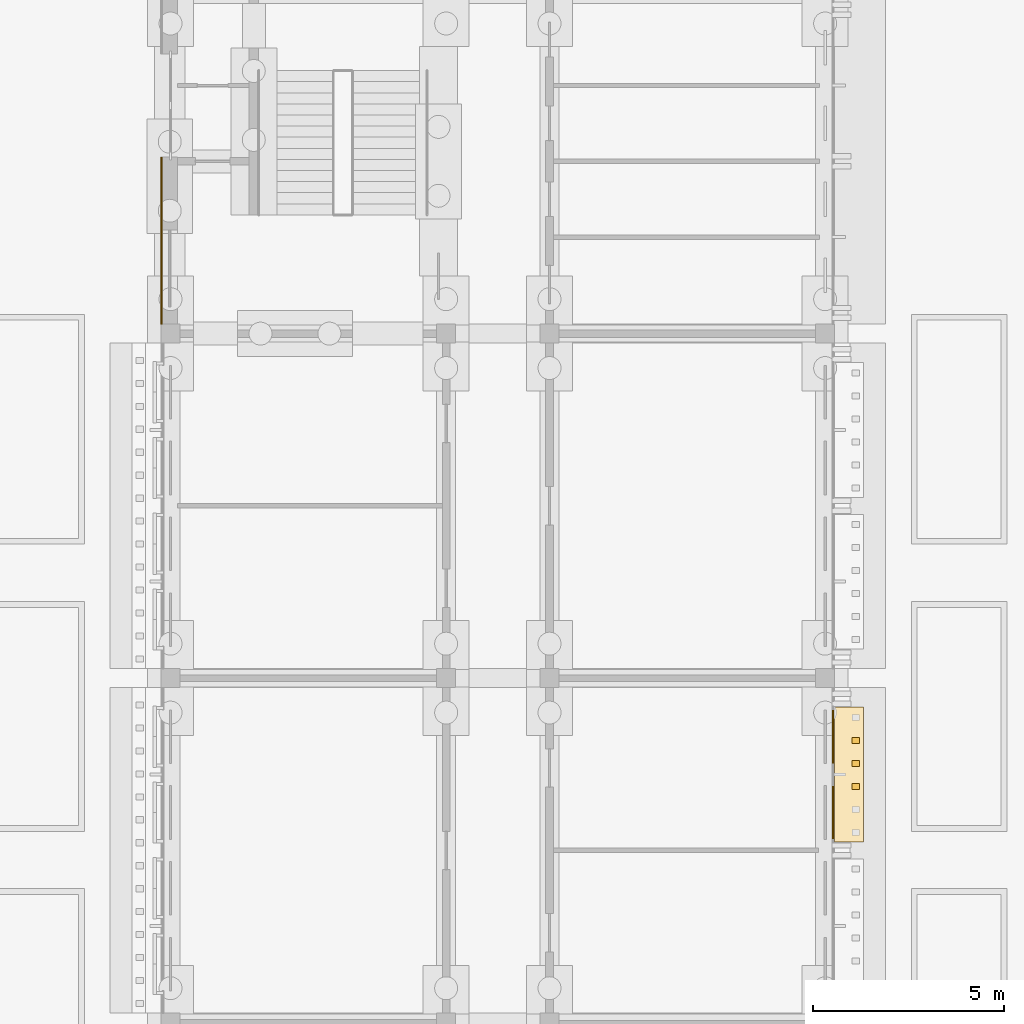
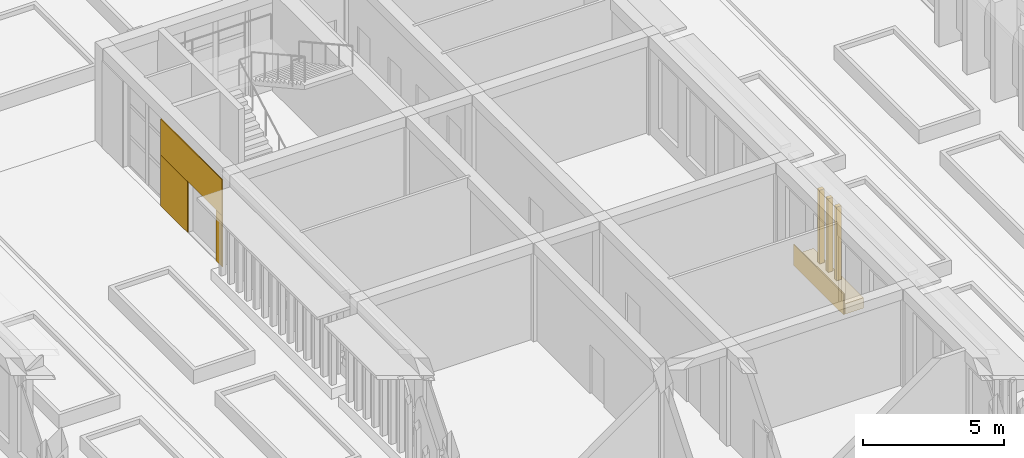
# One storey, part 132 of 161: 8 coverings.
"""IFC4 building model written with IfcOpenShell, lengths in metres."""

from ifc_helpers import new_model, si_unit, direction, frame, origin, origin_2d, place, context, subcontext, project, spatial, rectangle, extrude, material, layer, layer_set, type_object, element, save


model = new_model("IFC4")

# Units and contexts
model_context = context("Model", 3, precision=1e-05, world=origin(), true_north=direction((0.0, 1.0)))
body_context = subcontext(model_context, "Body", "Model", "MODEL_VIEW")
ifc_project = project(units=[si_unit("LENGTHUNIT", "METRE"), si_unit("AREAUNIT", "SQUARE_METRE"), si_unit("VOLUMEUNIT", "CUBIC_METRE"), si_unit("PLANEANGLEUNIT", "RADIAN"), si_unit("MASSUNIT", "GRAM", prefix="KILO")], contexts=[model_context])

# Site, building, storey
site_placement = place(None, origin())
site = spatial("IfcSite", under=ifc_project, at=site_placement, CompositionType="ELEMENT")
building_placement = place(site_placement, origin())
building = spatial("IfcBuilding", under=site, at=building_placement, Name="Elbe Cascade School", CompositionType="ELEMENT")
storey_placement = place(building_placement, origin())
storey = spatial("IfcBuildingStorey", under=building, at=storey_placement, Name="L00", CompositionType="ELEMENT", Elevation=0.0)

# Coverings
ifc_material_1 = material(Name="Sandstone - red", Category="masonry")
ifc_layer = layer(ifc_material_1, 0.0400390625)
ifc_layer_set = layer_set([ifc_layer], Name="Sandstone - red")
covering_type_1 = type_object("IfcCoveringType", Name="Bars envelope Sandstone cladding, red, 40 mm", PredefinedType="CLADDING", material=ifc_layer_set)
covering_1_placement = place(storey_placement, frame((127.9599609375, 51.47509765625, 0.0), z_axis=(0.0, 0.0, 1.0), x_axis=(0.0, 1.0, 0.0)))
element("IfcCovering", 1, at=covering_1_placement, inside=storey, type_object=covering_type_1, Name="Sandstone cladding CV48 C.L00.w.6a.1", PredefinedType="CLADDING", context=body_context, shape_type="SweptSolid", body=[
    extrude(rectangle(XDim=0.449951171875, YDim=0.0400390625, at=origin_2d()), origin(), (0.0, 0.0, 1.0), 2.199951171875),
])
covering_2_placement = place(storey_placement, frame((127.9599609375, 54.655029296875, 0.0), z_axis=(0.0, 0.0, 1.0), x_axis=(0.0, 1.0, 0.0)))
element("IfcCovering", 2, at=covering_2_placement, inside=storey, type_object=covering_type_1, Name="Sandstone cladding CV48 C.L00.w.6a.2", PredefinedType="CLADDING", context=body_context, shape_type="SweptSolid", body=[
    extrude(rectangle(XDim=1.909912109375, YDim=0.0400390625, at=origin_2d()), origin(), (0.0, 0.0, 1.0), 2.199951171875),
])
covering_3_placement = place(storey_placement, frame((127.9599609375, 53.429931640625, 2.2001953125), z_axis=(0.0, 0.0, 1.0), x_axis=(0.0, 1.0, 0.0)))
element("IfcCovering", 3, at=covering_3_placement, inside=storey, type_object=covering_type_1, Name="Sandstone cladding CV48 C.L00.w.6a.3", PredefinedType="CLADDING", context=body_context, shape_type="SweptSolid", body=[
    extrude(rectangle(XDim=4.360107421875, YDim=0.0400390625, at=origin_2d()), origin(), (0.0, 0.0, 1.0), 1.550048828125),
])
covering_4_placement = place(storey_placement, frame((145.5, 39.47998046875, 0.0), z_axis=(0.0, 0.0, 1.0), x_axis=(0.0, 1.0, 0.0)))
element("IfcCovering", 4, at=covering_4_placement, inside=storey, type_object=covering_type_1, Name="Sandstone cladding CV48 C.L00.e.4.5", PredefinedType="CLADDING", context=body_context, shape_type="SweptSolid", body=[
    extrude(rectangle(XDim=3.56005859375, YDim=0.0400390625, at=origin_2d()), origin(), (0.0, 0.0, 1.0), 0.89990234375),
])
ifc_material_2 = material(Name="Sandstone - red", Category="masonry")
covering_type_2 = type_object("IfcCoveringType", Name="Bars envelope Sandstone planter kerb, 750 deep", PredefinedType="CLADDING", material=ifc_material_2)
covering_5_placement = place(storey_placement, frame((145.925048828125, 39.47998046875, 0.0), z_axis=(0.0, 0.0, 1.0), x_axis=(0.0, 1.0, 0.0)))
element("IfcCovering", 5, at=covering_5_placement, inside=storey, type_object=covering_type_2, Name="Planter kerb CV65 C.L00.e3.2", PredefinedType="CLADDING", context=body_context, shape_type="SweptSolid", body=[
    extrude(rectangle(XDim=3.52001953125, YDim=0.75, at=origin_2d()), origin(), (0.0, 0.0, 1.0), 0.449951171875),
])
ifc_material_3 = material(Name="Sandstone - red", Category="masonry")
covering_type_3 = type_object("IfcCoveringType", Name="Bars envelope Sandstone slat, 160 wide, 200 deep", PredefinedType="CLADDING", material=ifc_material_3)
for number, where, z_axis, x_axis, name in (
    (6, (146.10009765625, 39.169921875, 0.4501953125), (0.0, 0.0, 1.0), (0.0, 1.0, 0.0), "Slat CV66 C.L00.e3.2.3"),
    (7, (146.10009765625, 39.77001953125, 0.4501953125), (0.0, 0.0, 1.0), (0.0, 1.0, 0.0), "Slat CV66 C.L00.e3.2.4"),
    (8, (146.10009765625, 40.3701171875, 0.4501953125), (0.0, 0.0, 1.0), (0.0, 1.0, 0.0), "Slat CV66 C.L00.e3.2.5"),
):
    element("IfcCovering", number, at=place(storey_placement, frame(where, z_axis=z_axis, x_axis=x_axis)), inside=storey, type_object=covering_type_3, Name=name, PredefinedType="CLADDING", context=body_context, shape_type="SweptSolid", body=[
        extrude(rectangle(XDim=0.159912109375, YDim=0.199951171875, at=origin_2d()), origin(), (0.0, 0.0, 1.0), 3.179931640625),
    ])

save(model, "model.ifc")
